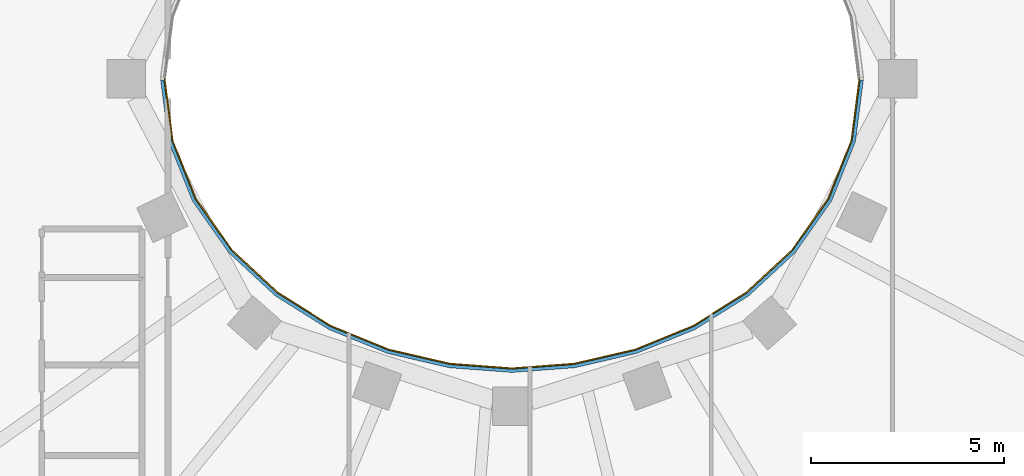
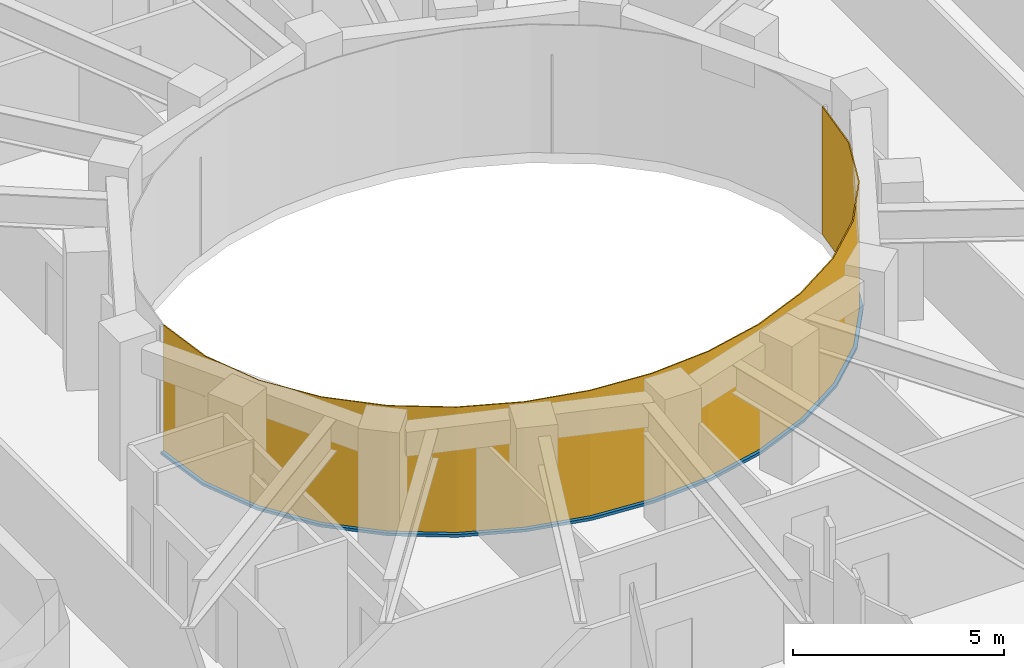
# One storey, part 9 of 16: 1 curtain wall, 1 member.
"""IFC4 building model written with IfcOpenShell, lengths in metres."""

from ifc_helpers import new_model, si_unit, direction, frame, origin, place, context, subcontext, project, spatial, polyline, outline, extrude, material, layer, layer_set, type_object, element, aggregate, save


model = new_model("IFC4")

# Units and contexts
model_context = context("Model", 3, precision=1e-05, world=origin(), true_north=direction((0.0, 1.0)))
body_context = subcontext(model_context, "Body", "Model", "MODEL_VIEW")
ifc_project = project(units=[si_unit("LENGTHUNIT", "METRE"), si_unit("AREAUNIT", "SQUARE_METRE"), si_unit("VOLUMEUNIT", "CUBIC_METRE"), si_unit("PLANEANGLEUNIT", "RADIAN"), si_unit("MASSUNIT", "GRAM", prefix="KILO")], contexts=[model_context])

# Member
ifc_material_1 = material(Name="Steel S355 fire-resisting frame", Category="steel")
member_type = type_object("IfcMemberType", Name="ENV-TRANSOM-W", PredefinedType="USERDEFINED", material=ifc_material_1)
site_placement = place(None, origin())
building_placement = place(site_placement, origin())
storey_placement = place(building_placement, frame((0.0, 0.0, 245.5)))
member_placement = place(storey_placement, origin())
member = element("IfcMember", 1, at=member_placement, type_object=member_type, Name="Transom W well 17-01", ObjectType="TRANSOM", PredefinedType="USERDEFINED", context=body_context, shape_type="SweptSolid", body=[
    extrude(outline(polyline([(-9.119384765625, -0.02783203125), (-8.910400390625, -1.63623046875), (-8.29833984375, -3.167236328125), (-7.35107421875, -4.5146484375), (-6.1455078125, -5.6337890625), (-4.75341796875, -6.50634765625), (-3.233642578125, -7.127685546875), (-1.635498046875, -7.498779296875), (0.0, -7.622314453125), (1.635498046875, -7.498779296875), (3.233642578125, -7.127685546875), (4.75341796875, -6.50634765625), (6.1455078125, -5.6337890625), (7.35107421875, -4.5146484375), (8.29833984375, -3.167236328125), (8.910400390625, -1.63623046875), (9.119384765625, -0.02783203125), (9.02880859375, -0.02783203125), (8.822509765625, -1.61328125), (8.21875, -3.124267578125), (7.282958984375, -4.455078125), (6.090576171875, -5.56201171875), (4.712158203125, -6.426025390625), (3.206298828125, -7.04150390625), (1.621826171875, -7.40966796875), (0.0, -7.531982421875), (-1.621826171875, -7.40966796875), (-3.206298828125, -7.04150390625), (-4.712158203125, -6.426025390625), (-6.090576171875, -5.56201171875), (-7.282958984375, -4.455078125), (-8.21875, -3.124267578125), (-8.822509765625, -1.61328125), (-9.02880859375, -0.02783203125), (-9.119384765625, -0.02783203125)])), origin(), (0.0, 0.0, 1.0), 0.080078125),
])

# Site, building, storey
site = spatial("IfcSite", under=ifc_project, at=site_placement, CompositionType="ELEMENT")
building = spatial("IfcBuilding", under=site, at=building_placement, Name="Noorbagh Ring Tower", CompositionType="ELEMENT")
storey = spatial("IfcBuildingStorey", under=building, at=storey_placement, Name="L51", CompositionType="ELEMENT", Elevation=245.5)

# Curtain wall
ifc_material_2 = material(Name="Glass fire-resisting E60 laminated", Category="glass")
ifc_layer = layer(ifc_material_2, 0.031982421875)
ifc_layer_set = layer_set([ifc_layer], Name="Glass fire-resisting E60 laminated")
curtain_wall_type = type_object("IfcCurtainWallType", Name="ENV-CW-W", PredefinedType="NOTDEFINED", material=ifc_layer_set)
curtain_wall_placement = place(storey_placement, origin())
curtain_wall = element("IfcCurtainWall", 2, at=curtain_wall_placement, inside=storey, type_object=curtain_wall_type, Name="Curtain wall W W17", PredefinedType="NOTDEFINED", context=body_context, shape_type="SweptSolid", body=[
    extrude(outline(polyline([(-9.0322265625, 0.0), (-8.822509765625, -1.61328125), (-8.21875, -3.124267578125), (-7.282958984375, -4.455078125), (-6.090576171875, -5.56201171875), (-4.712158203125, -6.426025390625), (-3.206298828125, -7.04150390625), (-1.621826171875, -7.40966796875), (0.0, -7.531982421875), (1.621826171875, -7.40966796875), (3.206298828125, -7.04150390625), (4.712158203125, -6.426025390625), (6.090576171875, -5.56201171875), (7.282958984375, -4.455078125), (8.21875, -3.124267578125), (8.822509765625, -1.61328125), (9.0322265625, 0.0), (9.0, 0.0), (8.79150390625, -1.605224609375), (8.1904296875, -3.10888671875), (7.2587890625, -4.43408203125), (6.071044921875, -5.53662109375), (4.697509765625, -6.3974609375), (3.196533203125, -7.010986328125), (1.6171875, -7.3779296875), (0.0, -7.5), (-1.6171875, -7.3779296875), (-3.196533203125, -7.010986328125), (-4.697509765625, -6.3974609375), (-6.071044921875, -5.53662109375), (-7.2587890625, -4.43408203125), (-8.1904296875, -3.10888671875), (-8.79150390625, -1.605224609375), (-9.0, 0.0), (-9.0322265625, 0.0)])), origin(), (0.0, 0.0, 1.0), 3.699951171875),
])

aggregate(curtain_wall, [member])

save(model, "model.ifc")
